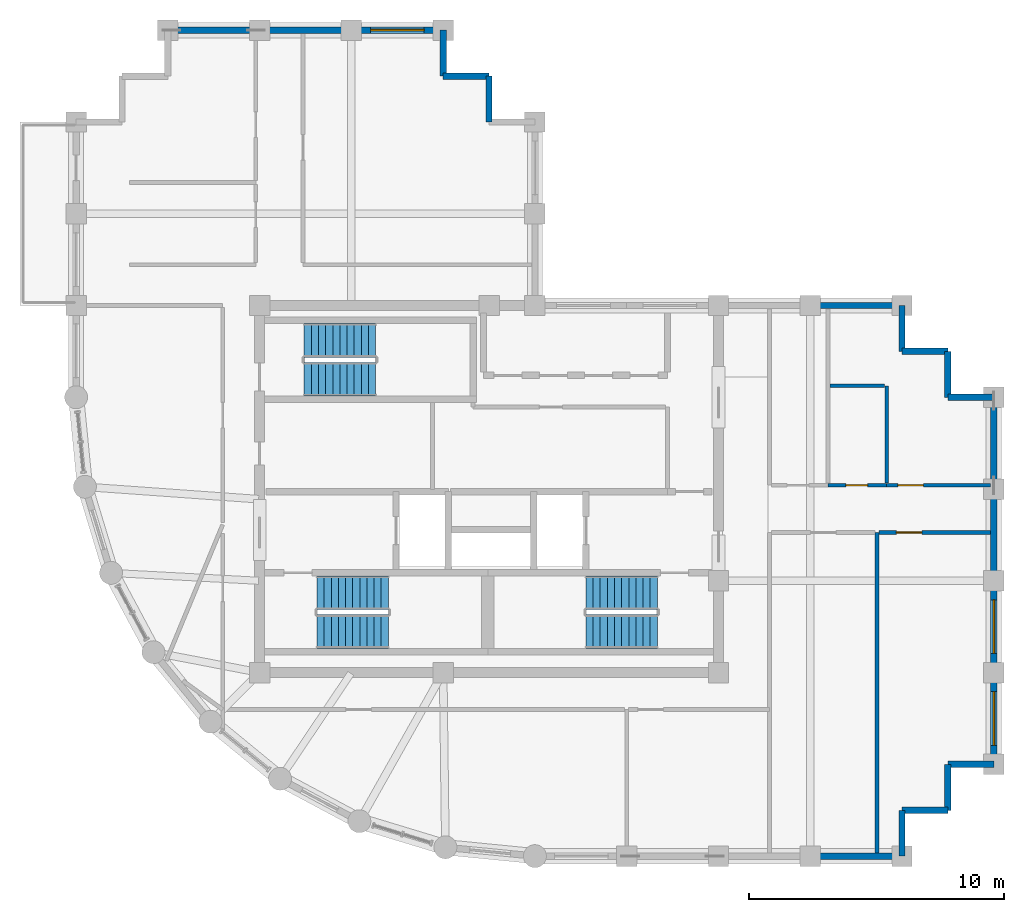
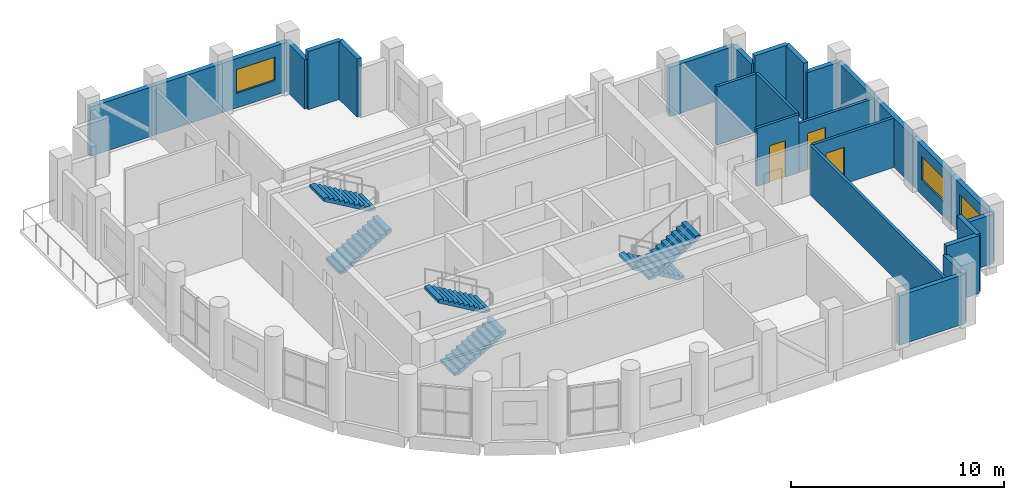
# One storey, part 10 of 11: 26 walls, 6 stair flights, 3 doors, 3 windows, 6 openings, 3 elements without a shape of their own.
"""IFC4 building model written with IfcOpenShell, lengths in metres."""

from ifc_helpers import new_model, si_unit, direction, frame, frame_2d, origin, place, context, subcontext, project, spatial, polyline, rectangle, outline, extrude, material, layer, layer_set, type_object, element, fill, aggregate, save


model = new_model("IFC4")

# Units and contexts
model_context = context("Model", 3, precision=1e-05, world=origin(), true_north=direction((0.0, 1.0)))
body_context = subcontext(model_context, "Body", "Model", "MODEL_VIEW")
ifc_project = project(units=[si_unit("LENGTHUNIT", "METRE"), si_unit("AREAUNIT", "SQUARE_METRE"), si_unit("VOLUMEUNIT", "CUBIC_METRE"), si_unit("PLANEANGLEUNIT", "RADIAN"), si_unit("MASSUNIT", "GRAM", prefix="KILO")], contexts=[model_context])

# Site, building, storey
site_placement = place(None, origin())
site = spatial("IfcSite", under=ifc_project, at=site_placement, CompositionType="ELEMENT")
building_placement = place(site_placement, origin())
building = spatial("IfcBuilding", under=site, at=building_placement, Name="Solnavia Interchange Tower", CompositionType="ELEMENT")
storey_placement = place(building_placement, frame((0.0, 0.0, 263.0)))
storey = spatial("IfcBuildingStorey", under=building, at=storey_placement, Name="L66", CompositionType="ELEMENT", Elevation=263.0)

# Walls
ifc_material_1 = material(Name="Concrete C40/50", Category="concrete")
ifc_layer_1 = layer(ifc_material_1, 0.25)
ifc_layer_set_1 = layer_set([ifc_layer_1], Name="Concrete C40/50")
wall_type_1 = type_object("IfcWallType", Name="Wall-ExtSpandrel-250", PredefinedType="STANDARD", material=ifc_layer_set_1)
wall_1_placement = place(storey_placement, frame((39.60009765625, 3.60009765625, 0.0), z_axis=(0.0, 0.0, 1.0), x_axis=(-1.0, 0.0, 0.0)))
element("IfcWall", 1, at=wall_1_placement, inside=storey, type_object=wall_type_1, Name="EXW-L66-04 Exterior precast spandrel wall", PredefinedType="STANDARD", context=body_context, shape_type="SweptSolid", body=[
    extrude(rectangle(XDim=3.60009765625, YDim=0.25, at=frame_2d((1.800048828125, 0.0))), origin(), (0.0, 0.0, 1.0), 2.830078125),
])
wall_2_placement = place(storey_placement, frame((39.60009765625, 5.39990234375, 0.0), z_axis=(0.0, 0.0, 1.0), x_axis=(0.0, -1.0, 0.0)))
element("IfcWall", 2, at=wall_2_placement, inside=storey, type_object=wall_type_1, Name="EXW-L66-05 Exterior precast spandrel wall", PredefinedType="STANDARD", context=body_context, shape_type="SweptSolid", body=[
    extrude(rectangle(XDim=1.7998046875, YDim=0.25, at=frame_2d((0.89990234375, 0.0))), origin(), (0.0, 0.0, 1.0), 2.830078125),
])
wall_3_placement = place(storey_placement, frame((41.39990234375, 5.39990234375, 0.0), z_axis=(0.0, 0.0, 1.0), x_axis=(-1.0, 0.0, 0.0)))
element("IfcWall", 3, at=wall_3_placement, inside=storey, type_object=wall_type_1, Name="EXW-L66-06 Exterior precast spandrel wall", PredefinedType="STANDARD", context=body_context, shape_type="SweptSolid", body=[
    extrude(rectangle(XDim=1.7998046875, YDim=0.25, at=frame_2d((0.89990234375, 0.0))), origin(), (0.0, 0.0, 1.0), 3.3349609375),
])
wall_4_placement = place(storey_placement, frame((41.39990234375, 7.199951171875, 0.0), z_axis=(0.0, 0.0, 1.0), x_axis=(0.0, -1.0, 0.0)))
element("IfcWall", 4, at=wall_4_placement, inside=storey, type_object=wall_type_1, Name="EXW-L66-07 Exterior precast spandrel wall", PredefinedType="STANDARD", context=body_context, shape_type="SweptSolid", body=[
    extrude(rectangle(XDim=1.800048828125, YDim=0.25, at=frame_2d((0.89990234375, 0.0))), origin(), (0.0, 0.0, 1.0), 3.3349609375),
])
wall_5_placement = place(storey_placement, frame((43.199951171875, 7.199951171875, 0.0), z_axis=(0.0, 0.0, 1.0), x_axis=(-1.0, 0.0, 0.0)))
element("IfcWall", 5, at=wall_5_placement, inside=storey, type_object=wall_type_1, Name="EXW-L66-08 Exterior precast spandrel wall", PredefinedType="STANDARD", context=body_context, shape_type="SweptSolid", body=[
    extrude(rectangle(XDim=1.800048828125, YDim=0.25, at=frame_2d((0.89990234375, 0.0))), origin(), (0.0, 0.0, 1.0), 2.830078125),
])

# Wall, opening, window
wall_6_placement = place(storey_placement, frame((43.199951171875, 10.800048828125, 0.0), z_axis=(0.0, 0.0, 1.0), x_axis=(0.0, -1.0, 0.0)))
wall_6 = element("IfcWall", 6, at=wall_6_placement, inside=storey, type_object=wall_type_1, Name="EXW-L66-09 Exterior precast spandrel wall", PredefinedType="STANDARD", context=body_context, shape_type="SweptSolid", body=[
    extrude(rectangle(XDim=3.60009765625, YDim=0.25, at=frame_2d((1.800048828125, 0.0))), origin(), (0.0, 0.0, 1.0), 2.830078125),
])
opening_1_placement = place(wall_6_placement, frame((0.75, 0.0, 0.85009765625)))
opening_1 = element("IfcOpeningElement", 7, at=opening_1_placement, cuts=wall_6, Name="Opening WIN-01", PredefinedType="OPENING", context=body_context, shape_type="SweptSolid", body=[
    extrude(rectangle(XDim=2.10009765625, YDim=1.35009765625, at=frame_2d((1.050048828125, 0.675048828125))), frame((0.0, 0.135009765625, 0.0), z_axis=(0.0, -1.0, 0.0), x_axis=(1.0, 0.0, 0.0)), (0.0, 0.0, 1.0), 0.27001953125),
])
ifc_material_2 = material(Name="Thermal-Break Aluminium & Low-E Glass", Category="aluminium")
window_type = type_object("IfcWindowType", Name="Window-Ribbon-2100x1350", PartitioningType="SINGLE_PANEL", PredefinedType="WINDOW", material=ifc_material_2)
window_1_placement = place(opening_1_placement, origin())
window_1 = element("IfcWindow", 8, at=window_1_placement, inside=storey, type_object=window_type, Name="WIN-L66-09 Facade ribbon window", OverallHeight=1.35009765625, OverallWidth=2.10009765625, PartitioningType="SINGLE_PANEL", PredefinedType="WINDOW", context=body_context, shape_type="SweptSolid", body=[
    extrude(rectangle(XDim=2.10009765625, YDim=1.35009765625, at=frame_2d((1.050048828125, 0.675048828125))), frame((0.0, 0.030029296875, 0.0), z_axis=(0.0, -1.0, 0.0), x_axis=(1.0, 0.0, 0.0)), (0.0, 0.0, 1.0), 0.06005859375),
])
fill(opening_1, window_1)

wall_7_placement = place(storey_placement, frame((43.199951171875, 14.39990234375, 0.0), z_axis=(0.0, 0.0, 1.0), x_axis=(0.0, -1.0, 0.0)))
wall_7 = element("IfcWall", 9, at=wall_7_placement, inside=storey, type_object=wall_type_1, Name="EXW-L66-10 Exterior precast spandrel wall", PredefinedType="STANDARD", context=body_context, shape_type="SweptSolid", body=[
    extrude(rectangle(XDim=3.599853515625, YDim=0.25, at=frame_2d((1.7998046875, 0.0))), origin(), (0.0, 0.0, 1.0), 2.830078125),
])
opening_2_placement = place(wall_7_placement, frame((0.75, 0.0, 0.85009765625)))
opening_2 = element("IfcOpeningElement", 10, at=opening_2_placement, cuts=wall_7, Name="Opening WIN-01", PredefinedType="OPENING", context=body_context, shape_type="SweptSolid", body=[
    extrude(rectangle(XDim=2.10009765625, YDim=1.35009765625, at=frame_2d((1.050048828125, 0.675048828125))), frame((0.0, 0.135009765625, 0.0), z_axis=(0.0, -1.0, 0.0), x_axis=(1.0, 0.0, 0.0)), (0.0, 0.0, 1.0), 0.27001953125),
])
window_2_placement = place(opening_2_placement, origin())
window_2 = element("IfcWindow", 11, at=window_2_placement, inside=storey, type_object=window_type, Name="WIN-L66-10 Facade ribbon window", OverallHeight=1.35009765625, OverallWidth=2.10009765625, PartitioningType="SINGLE_PANEL", PredefinedType="WINDOW", context=body_context, shape_type="SweptSolid", body=[
    extrude(rectangle(XDim=2.10009765625, YDim=1.35009765625, at=frame_2d((1.050048828125, 0.675048828125))), frame((0.0, 0.030029296875, 0.0), z_axis=(0.0, -1.0, 0.0), x_axis=(1.0, 0.0, 0.0)), (0.0, 0.0, 1.0), 0.06005859375),
])
fill(opening_2, window_2)

# Walls
for number, where, z_axis, x_axis, name in (
    (12, (43.199951171875, 18.0, 0.0), (0.0, 0.0, 1.0), (0.0, -1.0, 0.0), "EXW-L66-11 Exterior precast spandrel wall"),
    (13, (43.199951171875, 21.60009765625, 0.0), (0.0, 0.0, 1.0), (0.0, -1.0, 0.0), "EXW-L66-12 Exterior precast spandrel wall"),
):
    element("IfcWall", number, at=place(storey_placement, frame(where, z_axis=z_axis, x_axis=x_axis)), inside=storey, type_object=wall_type_1, Name=name, PredefinedType="STANDARD", context=body_context, shape_type="SweptSolid", body=[
        extrude(rectangle(XDim=3.60009765625, YDim=0.25, at=frame_2d((1.800048828125, 0.0))), origin(), (0.0, 0.0, 1.0), 2.830078125),
    ])
wall_8_placement = place(storey_placement, frame((41.39990234375, 21.60009765625, 0.0), z_axis=(0.0, 0.0, 1.0), x_axis=(1.0, 0.0, 0.0)))
element("IfcWall", 14, at=wall_8_placement, inside=storey, type_object=wall_type_1, Name="EXW-L66-13 Exterior precast spandrel wall", PredefinedType="STANDARD", context=body_context, shape_type="SweptSolid", body=[
    extrude(rectangle(XDim=1.800048828125, YDim=0.25, at=frame_2d((0.89990234375, 0.0))), origin(), (0.0, 0.0, 1.0), 2.830078125),
])
for number, where, z_axis, x_axis, name in (
    (15, (41.39990234375, 23.39990234375, 0.0), (0.0, 0.0, 1.0), (0.0, -1.0, 0.0), "EXW-L66-14 Exterior precast spandrel wall"),
    (16, (39.60009765625, 23.39990234375, 0.0), (0.0, 0.0, 1.0), (1.0, 0.0, 0.0), "EXW-L66-15 Exterior precast spandrel wall"),
):
    element("IfcWall", number, at=place(storey_placement, frame(where, z_axis=z_axis, x_axis=x_axis)), inside=storey, type_object=wall_type_1, Name=name, PredefinedType="STANDARD", context=body_context, shape_type="SweptSolid", body=[
        extrude(rectangle(XDim=1.7998046875, YDim=0.25, at=frame_2d((0.89990234375, 0.0))), origin(), (0.0, 0.0, 1.0), 3.3349609375),
    ])
wall_9_placement = place(storey_placement, frame((39.60009765625, 25.199951171875, 0.0), z_axis=(0.0, 0.0, 1.0), x_axis=(0.0, -1.0, 0.0)))
element("IfcWall", 17, at=wall_9_placement, inside=storey, type_object=wall_type_1, Name="EXW-L66-16 Exterior precast spandrel wall", PredefinedType="STANDARD", context=body_context, shape_type="SweptSolid", body=[
    extrude(rectangle(XDim=1.800048828125, YDim=0.25, at=frame_2d((0.89990234375, 0.0))), origin(), (0.0, 0.0, 1.0), 2.830078125),
])
wall_10_placement = place(storey_placement, frame((36.0, 25.199951171875, 0.0), z_axis=(0.0, 0.0, 1.0), x_axis=(1.0, 0.0, 0.0)))
element("IfcWall", 18, at=wall_10_placement, inside=storey, type_object=wall_type_1, Name="EXW-L66-17 Exterior precast spandrel wall", PredefinedType="STANDARD", context=body_context, shape_type="SweptSolid", body=[
    extrude(rectangle(XDim=3.60009765625, YDim=0.25, at=frame_2d((1.800048828125, 0.0))), origin(), (0.0, 0.0, 1.0), 2.830078125),
])
wall_11_placement = place(storey_placement, frame((23.39990234375, 32.39990234375, 0.0), z_axis=(0.0, 0.0, 1.0), x_axis=(0.0, 1.0, 0.0)))
element("IfcWall", 19, at=wall_11_placement, inside=storey, type_object=wall_type_1, Name="EXW-L66-24 Exterior precast spandrel wall", PredefinedType="STANDARD", context=body_context, shape_type="SweptSolid", body=[
    extrude(rectangle(XDim=1.800048828125, YDim=0.25, at=frame_2d((0.89990234375, 0.0))), origin(), (0.0, 0.0, 1.0), 3.3349609375),
])
wall_12_placement = place(storey_placement, frame((21.60009765625, 34.199951171875, 0.0), z_axis=(0.0, 0.0, 1.0), x_axis=(1.0, 0.0, 0.0)))
element("IfcWall", 20, at=wall_12_placement, inside=storey, type_object=wall_type_1, Name="EXW-L66-25 Exterior precast spandrel wall", PredefinedType="STANDARD", context=body_context, shape_type="SweptSolid", body=[
    extrude(rectangle(XDim=1.7998046875, YDim=0.25, at=frame_2d((0.89990234375, 0.0))), origin(), (0.0, 0.0, 1.0), 3.3349609375),
])
wall_13_placement = place(storey_placement, frame((21.60009765625, 34.199951171875, 0.0), z_axis=(0.0, 0.0, 1.0), x_axis=(0.0, 1.0, 0.0)))
element("IfcWall", 21, at=wall_13_placement, inside=storey, type_object=wall_type_1, Name="EXW-L66-26 Exterior precast spandrel wall", PredefinedType="STANDARD", context=body_context, shape_type="SweptSolid", body=[
    extrude(rectangle(XDim=1.800048828125, YDim=0.25, at=frame_2d((0.89990234375, 0.0))), origin(), (0.0, 0.0, 1.0), 2.830078125),
])

# Wall, opening, window
wall_14_placement = place(storey_placement, frame((18.0, 36.0, 0.0), z_axis=(0.0, 0.0, 1.0), x_axis=(1.0, 0.0, 0.0)))
wall_14 = element("IfcWall", 22, at=wall_14_placement, inside=storey, type_object=wall_type_1, Name="EXW-L66-27 Exterior precast spandrel wall", PredefinedType="STANDARD", context=body_context, shape_type="SweptSolid", body=[
    extrude(rectangle(XDim=3.60009765625, YDim=0.25, at=frame_2d((1.800048828125, 0.0))), origin(), (0.0, 0.0, 1.0), 2.830078125),
])
opening_3_placement = place(wall_14_placement, frame((0.75, 0.0, 0.85009765625)))
opening_3 = element("IfcOpeningElement", 23, at=opening_3_placement, cuts=wall_14, Name="Opening WIN-01", PredefinedType="OPENING", context=body_context, shape_type="SweptSolid", body=[
    extrude(rectangle(XDim=2.10009765625, YDim=1.35009765625, at=frame_2d((1.050048828125, 0.675048828125))), frame((0.0, 0.135009765625, 0.0), z_axis=(0.0, -1.0, 0.0), x_axis=(1.0, 0.0, 0.0)), (0.0, 0.0, 1.0), 0.27001953125),
])
window_3_placement = place(opening_3_placement, origin())
window_3 = element("IfcWindow", 24, at=window_3_placement, inside=storey, type_object=window_type, Name="WIN-L66-27 Facade ribbon window", OverallHeight=1.35009765625, OverallWidth=2.10009765625, PartitioningType="SINGLE_PANEL", PredefinedType="WINDOW", context=body_context, shape_type="SweptSolid", body=[
    extrude(rectangle(XDim=2.10009765625, YDim=1.35009765625, at=frame_2d((1.050048828125, 0.675048828125))), frame((0.0, 0.030029296875, 0.0), z_axis=(0.0, -1.0, 0.0), x_axis=(1.0, 0.0, 0.0)), (0.0, 0.0, 1.0), 0.06005859375),
])
fill(opening_3, window_3)

# Walls
wall_15_placement = place(storey_placement, frame((14.39990234375, 36.0, 0.0), z_axis=(0.0, 0.0, 1.0), x_axis=(1.0, 0.0, 0.0)))
element("IfcWall", 25, at=wall_15_placement, inside=storey, type_object=wall_type_1, Name="EXW-L66-28 Exterior precast spandrel wall", PredefinedType="STANDARD", context=body_context, shape_type="SweptSolid", body=[
    extrude(rectangle(XDim=3.60009765625, YDim=0.25, at=frame_2d((1.800048828125, 0.0))), origin(), (0.0, 0.0, 1.0), 2.830078125),
])
wall_16_placement = place(storey_placement, frame((10.800048828125, 36.0, 0.0), z_axis=(0.0, 0.0, 1.0), x_axis=(1.0, 0.0, 0.0)))
element("IfcWall", 26, at=wall_16_placement, inside=storey, type_object=wall_type_1, Name="EXW-L66-29 Exterior precast spandrel wall", PredefinedType="STANDARD", context=body_context, shape_type="SweptSolid", body=[
    extrude(rectangle(XDim=3.599853515625, YDim=0.25, at=frame_2d((1.7998046875, 0.0))), origin(), (0.0, 0.0, 1.0), 2.830078125),
])
ifc_material_3 = material(Name="Gypsum Plasterboard & Steel Stud", Category="steel")
ifc_layer_2 = layer(ifc_material_3, 0.14990234375)
ifc_layer_set_2 = layer_set([ifc_layer_2], Name="Gypsum Plasterboard & Steel Stud")
wall_type_2 = type_object("IfcWallType", Name="Wall-Partition-150", PredefinedType="PARTITIONING", material=ifc_layer_set_2)
wall_17_placement = place(storey_placement, frame((38.6201171875, 3.72900390625, 0.0), z_axis=(0.0, 0.0, 1.0), x_axis=(0.0, 1.0, 0.0)))
element("IfcWall", 27, at=wall_17_placement, inside=storey, type_object=wall_type_2, Name="PTW-L66-16 Interior partition wall", PredefinedType="PARTITIONING", context=body_context, shape_type="SweptSolid", body=[
    extrude(rectangle(XDim=12.571044921875, YDim=0.14990234375, at=frame_2d((6.28564453125, 0.0))), origin(), (0.0, 0.0, 1.0), 2.830078125),
])

# Wall, opening, door
wall_18_placement = place(storey_placement, frame((38.698974609375, 16.300048828125, 0.0), z_axis=(0.0, 0.0, 1.0), x_axis=(1.0, 0.0, 0.0)))
wall_18 = element("IfcWall", 28, at=wall_18_placement, inside=storey, type_object=wall_type_2, Name="PTW-L66-18 Interior partition wall", PredefinedType="PARTITIONING", context=body_context, shape_type="SweptSolid", body=[
    extrude(rectangle(XDim=4.3720703125, YDim=0.14990234375, at=frame_2d((2.18603515625, 0.0))), origin(), (0.0, 0.0, 1.0), 2.830078125),
])
opening_4_placement = place(wall_18_placement, frame((0.677978515625, 0.0, 0.0)))
opening_4 = element("IfcOpeningElement", 29, at=opening_4_placement, cuts=wall_18, Name="Opening DR-07", PredefinedType="OPENING", context=body_context, shape_type="SweptSolid", body=[
    extrude(rectangle(XDim=1.0, YDim=2.10009765625, at=frame_2d((0.5, 1.050048828125))), frame((0.0, 0.0849609375, 0.0), z_axis=(0.0, -1.0, 0.0), x_axis=(1.0, 0.0, 0.0)), (0.0, 0.0, 1.0), 0.169921875),
])
ifc_material_4 = material(Name="Timber & Acoustic Glazed Office Door", Category="wood")
door_type_1 = type_object("IfcDoorType", Name="Door-Office-1000x2100", OperationType="SINGLE_SWING_RIGHT", PredefinedType="DOOR", material=ifc_material_4)
door_1_placement = place(opening_4_placement, origin())
door_1 = element("IfcDoor", 30, at=door_1_placement, inside=storey, type_object=door_type_1, Name="DR-L66-08 Interior room door", OperationType="SINGLE_SWING_RIGHT", OverallHeight=2.10009765625, OverallWidth=1.0, PredefinedType="DOOR", context=body_context, shape_type="SweptSolid", body=[
    extrude(rectangle(XDim=1.0, YDim=2.10009765625, at=frame_2d((0.5, 1.050048828125))), frame((0.0, 0.02490234375, 0.0), z_axis=(0.0, -1.0, 0.0), x_axis=(1.0, 0.0, 0.0)), (0.0, 0.0, 1.0), 0.050048828125),
])
fill(opening_4, door_1)

wall_19_placement = place(storey_placement, frame((39.0, 18.14990234375, 0.0), z_axis=(0.0, 0.0, 1.0), x_axis=(1.0, 0.0, 0.0)))
wall_19 = element("IfcWall", 31, at=wall_19_placement, inside=storey, type_object=wall_type_2, Name="PTW-L66-19 Interior partition wall", PredefinedType="PARTITIONING", context=body_context, shape_type="SweptSolid", body=[
    extrude(rectangle(XDim=4.071044921875, YDim=0.14990234375, at=frame_2d((2.03564453125, 0.0))), origin(), (0.0, 0.0, 1.0), 2.830078125),
])
opening_5_placement = place(wall_19_placement, frame((0.43798828125, 0.0, 0.0)))
opening_5 = element("IfcOpeningElement", 32, at=opening_5_placement, cuts=wall_19, Name="Opening DR-07", PredefinedType="OPENING", context=body_context, shape_type="SweptSolid", body=[
    extrude(rectangle(XDim=1.0, YDim=2.10009765625, at=frame_2d((0.5, 1.050048828125))), frame((0.0, 0.0849609375, 0.0), z_axis=(0.0, -1.0, 0.0), x_axis=(1.0, 0.0, 0.0)), (0.0, 0.0, 1.0), 0.169921875),
])
door_2_placement = place(opening_5_placement, origin())
door_2 = element("IfcDoor", 33, at=door_2_placement, inside=storey, type_object=door_type_1, Name="DR-L66-09 Interior room door", OperationType="SINGLE_SWING_RIGHT", OverallHeight=2.10009765625, OverallWidth=1.0, PredefinedType="DOOR", context=body_context, shape_type="SweptSolid", body=[
    extrude(rectangle(XDim=1.0, YDim=2.10009765625, at=frame_2d((0.5, 1.050048828125))), frame((0.0, 0.02490234375, 0.0), z_axis=(0.0, -1.0, 0.0), x_axis=(1.0, 0.0, 0.0)), (0.0, 0.0, 1.0), 0.050048828125),
])
fill(opening_5, door_2)

ifc_material_5 = material(Name="Moisture-Resistant Gypsum & Steel Stud", Category="steel")
ifc_layer_3 = layer(ifc_material_5, 0.14990234375)
ifc_layer_set_3 = layer_set([ifc_layer_3], Name="Moisture-Resistant Gypsum & Steel Stud")
wall_type_3 = type_object("IfcWallType", Name="Wall-WetRoom-150", PredefinedType="PARTITIONING", material=ifc_layer_set_3)
wall_20_placement = place(storey_placement, frame((36.699951171875, 18.14990234375, 0.0), z_axis=(0.0, 0.0, 1.0), x_axis=(1.0, 0.0, 0.0)))
wall_20 = element("IfcWall", 34, at=wall_20_placement, inside=storey, type_object=wall_type_3, Name="PTW-L66-04 Interior partition wall", PredefinedType="PARTITIONING", context=body_context, shape_type="SweptSolid", body=[
    extrude(rectangle(XDim=2.300048828125, YDim=0.14990234375, at=frame_2d((1.14990234375, 0.0))), origin(), (0.0, 0.0, 1.0), 3.3349609375),
])
opening_6_placement = place(wall_20_placement, frame((0.697021484375, 0.0, 0.0)))
opening_6 = element("IfcOpeningElement", 35, at=opening_6_placement, cuts=wall_20, Name="Opening DR-10", PredefinedType="OPENING", context=body_context, shape_type="SweptSolid", body=[
    extrude(rectangle(XDim=0.85009765625, YDim=2.10009765625, at=frame_2d((0.425048828125, 1.050048828125))), frame((0.0, 0.0849609375, 0.0), z_axis=(0.0, -1.0, 0.0), x_axis=(1.0, 0.0, 0.0)), (0.0, 0.0, 1.0), 0.169921875),
])
ifc_material_6 = material(Name="Moisture-Resistant Timber Door", Category="wood")
door_type_2 = type_object("IfcDoorType", Name="Door-Bathroom-850x2100", OperationType="SINGLE_SWING_RIGHT", PredefinedType="DOOR", material=ifc_material_6)
door_3_placement = place(opening_6_placement, origin())
door_3 = element("IfcDoor", 36, at=door_3_placement, inside=storey, type_object=door_type_2, Name="DR-L66-02 Interior room door", OperationType="SINGLE_SWING_RIGHT", OverallHeight=2.10009765625, OverallWidth=0.85009765625, PredefinedType="DOOR", context=body_context, shape_type="SweptSolid", body=[
    extrude(rectangle(XDim=0.85009765625, YDim=2.10009765625, at=frame_2d((0.425048828125, 1.050048828125))), frame((0.0, 0.02490234375, 0.0), z_axis=(0.0, -1.0, 0.0), x_axis=(1.0, 0.0, 0.0)), (0.0, 0.0, 1.0), 0.050048828125),
])
fill(opening_6, door_3)

# Walls
wall_21_placement = place(storey_placement, frame((39.0, 18.22900390625, 0.0), z_axis=(0.0, 0.0, 1.0), x_axis=(0.0, 1.0, 0.0)))
element("IfcWall", 37, at=wall_21_placement, inside=storey, type_object=wall_type_3, Name="PTW-L66-05 Interior partition wall", PredefinedType="PARTITIONING", context=body_context, shape_type="SweptSolid", body=[
    extrude(rectangle(XDim=3.821044921875, YDim=0.14990234375, at=frame_2d((1.91064453125, 0.0))), origin(), (0.0, 0.0, 1.0), 3.3349609375),
])
wall_22_placement = place(storey_placement, frame((36.779052734375, 22.050048828125, 0.0), z_axis=(0.0, 0.0, 1.0), x_axis=(1.0, 0.0, 0.0)))
element("IfcWall", 38, at=wall_22_placement, inside=storey, type_object=wall_type_3, Name="PTW-L66-06 Interior partition wall", PredefinedType="PARTITIONING", context=body_context, shape_type="SweptSolid", body=[
    extrude(rectangle(XDim=2.141845703125, YDim=0.14990234375, at=frame_2d((1.07080078125, 0.0))), origin(), (0.0, 0.0, 1.0), 3.3349609375),
])

# Stair, stair flights
stair_type = type_object("IfcStairType", Name="Stair-Dogleg-RC", PredefinedType="HALF_TURN_STAIR", material=ifc_material_1)
stair_1_placement = place(storey_placement, origin())
stair_1 = element("IfcStair", 39, at=stair_1_placement, inside=storey, type_object=stair_type, Name="L66 Core exit stair 1", PredefinedType="HALF_TURN_STAIR")
stair_flight_type = type_object("IfcStairFlightType", Name="StairFlight-RC-150", PredefinedType="STRAIGHT", material=ifc_material_1)
stair_flight_1_placement = place(storey_placement, frame((16.64990234375, 12.409912109375, 0.0), z_axis=(0.0, 0.0, 1.0), x_axis=(1.0, 0.0, 0.0)))
stair_flight_1 = element("IfcStairFlight", 40, at=stair_flight_1_placement, type_object=stair_flight_type, Name="ST-1 flight 1", NumberOfRisers=11, NumberOfTreads=10, PredefinedType="STRAIGHT", RiserHeight=0.163636364, TreadLength=0.28, context=body_context, shape_type="SweptSolid", body=[
    extrude(outline(polyline([(0.0, 0.0), (0.0, 0.16357421875), (0.280029296875, 0.16357421875), (0.280029296875, 0.327392578125), (0.56005859375, 0.327392578125), (0.56005859375, 0.490966796875), (0.840087890625, 0.490966796875), (0.840087890625, 0.654541015625), (1.1201171875, 0.654541015625), (1.1201171875, 0.818115234375), (1.39990234375, 0.818115234375), (1.39990234375, 0.98193359375), (1.679931640625, 0.98193359375), (1.679931640625, 1.1455078125), (1.9599609375, 1.1455078125), (1.9599609375, 1.30908203125), (2.239990234375, 1.30908203125), (2.239990234375, 1.47265625), (2.52001953125, 1.47265625), (2.52001953125, 1.636474609375), (2.800048828125, 1.636474609375), (2.800048828125, 1.800048828125), (2.800048828125, 1.462646484375), (0.297119140625, 0.0), (0.0, 0.0)])), frame((0.0, 0.66015625, 0.0), z_axis=(0.0, -1.0, 0.0), x_axis=(1.0, 0.0, 0.0)), (0.0, 0.0, 1.0), 1.320068359375),
])
stair_flight_2_placement = place(storey_placement, frame((19.449951171875, 13.929931640625, 1.800048828125), z_axis=(0.0, 0.0, 1.0), x_axis=(-1.0, 0.0, 0.0)))
stair_flight_2 = element("IfcStairFlight", 41, at=stair_flight_2_placement, type_object=stair_flight_type, Name="ST-1 flight 2", NumberOfRisers=11, NumberOfTreads=10, PredefinedType="STRAIGHT", RiserHeight=0.163636364, TreadLength=0.28, context=body_context, shape_type="SweptSolid", body=[
    extrude(outline(polyline([(0.0, 0.0), (0.0, 0.16357421875), (0.280029296875, 0.16357421875), (0.280029296875, 0.327392578125), (0.56005859375, 0.327392578125), (0.56005859375, 0.490966796875), (0.840087890625, 0.490966796875), (0.840087890625, 0.654541015625), (1.1201171875, 0.654541015625), (1.1201171875, 0.818115234375), (1.39990234375, 0.818115234375), (1.39990234375, 0.98193359375), (1.679931640625, 0.98193359375), (1.679931640625, 1.1455078125), (1.9599609375, 1.1455078125), (1.9599609375, 1.30908203125), (2.239990234375, 1.30908203125), (2.239990234375, 1.47265625), (2.52001953125, 1.47265625), (2.52001953125, 1.636474609375), (2.800048828125, 1.636474609375), (2.800048828125, 1.800048828125), (2.800048828125, 1.462646484375), (0.297119140625, 0.0), (0.0, 0.0)])), frame((0.0, 0.66015625, 0.0), z_axis=(0.0, -1.0, 0.0), x_axis=(1.0, 0.0, 0.0)), (0.0, 0.0, 1.0), 1.320068359375),
])
aggregate(stair_1, [stair_flight_1, stair_flight_2])

stair_2_placement = place(storey_placement, origin())
stair_2 = element("IfcStair", 42, at=stair_2_placement, inside=storey, type_object=stair_type, Name="L66 Core exit stair 2", PredefinedType="HALF_TURN_STAIR")
stair_flight_3_placement = place(storey_placement, frame((30.0, 13.929931640625, 0.0), z_axis=(0.0, 0.0, 1.0), x_axis=(-1.0, 0.0, 0.0)))
stair_flight_3 = element("IfcStairFlight", 43, at=stair_flight_3_placement, type_object=stair_flight_type, Name="ST-2 flight 1", NumberOfRisers=11, NumberOfTreads=10, PredefinedType="STRAIGHT", RiserHeight=0.163636364, TreadLength=0.28, context=body_context, shape_type="SweptSolid", body=[
    extrude(outline(polyline([(0.0, 0.0), (0.0, 0.16357421875), (0.280029296875, 0.16357421875), (0.280029296875, 0.327392578125), (0.56005859375, 0.327392578125), (0.56005859375, 0.490966796875), (0.840087890625, 0.490966796875), (0.840087890625, 0.654541015625), (1.1201171875, 0.654541015625), (1.1201171875, 0.818115234375), (1.39990234375, 0.818115234375), (1.39990234375, 0.98193359375), (1.679931640625, 0.98193359375), (1.679931640625, 1.1455078125), (1.9599609375, 1.1455078125), (1.9599609375, 1.30908203125), (2.239990234375, 1.30908203125), (2.239990234375, 1.47265625), (2.52001953125, 1.47265625), (2.52001953125, 1.636474609375), (2.800048828125, 1.636474609375), (2.800048828125, 1.800048828125), (2.800048828125, 1.462646484375), (0.297119140625, 0.0), (0.0, 0.0)])), frame((0.0, 0.66015625, 0.0), z_axis=(0.0, -1.0, 0.0), x_axis=(1.0, 0.0, 0.0)), (0.0, 0.0, 1.0), 1.320068359375),
])
stair_flight_4_placement = place(storey_placement, frame((27.199951171875, 12.409912109375, 1.800048828125), z_axis=(0.0, 0.0, 1.0), x_axis=(1.0, 0.0, 0.0)))
stair_flight_4 = element("IfcStairFlight", 44, at=stair_flight_4_placement, type_object=stair_flight_type, Name="ST-2 flight 2", NumberOfRisers=11, NumberOfTreads=10, PredefinedType="STRAIGHT", RiserHeight=0.163636364, TreadLength=0.28, context=body_context, shape_type="SweptSolid", body=[
    extrude(outline(polyline([(0.0, 0.0), (0.0, 0.16357421875), (0.280029296875, 0.16357421875), (0.280029296875, 0.327392578125), (0.56005859375, 0.327392578125), (0.56005859375, 0.490966796875), (0.840087890625, 0.490966796875), (0.840087890625, 0.654541015625), (1.1201171875, 0.654541015625), (1.1201171875, 0.818115234375), (1.39990234375, 0.818115234375), (1.39990234375, 0.98193359375), (1.679931640625, 0.98193359375), (1.679931640625, 1.1455078125), (1.9599609375, 1.1455078125), (1.9599609375, 1.30908203125), (2.239990234375, 1.30908203125), (2.239990234375, 1.47265625), (2.52001953125, 1.47265625), (2.52001953125, 1.636474609375), (2.800048828125, 1.636474609375), (2.800048828125, 1.800048828125), (2.800048828125, 1.462646484375), (0.297119140625, 0.0), (0.0, 0.0)])), frame((0.0, 0.66015625, 0.0), z_axis=(0.0, -1.0, 0.0), x_axis=(1.0, 0.0, 0.0)), (0.0, 0.0, 1.0), 1.320068359375),
])
aggregate(stair_2, [stair_flight_3, stair_flight_4])

stair_3_placement = place(storey_placement, origin())
stair_3 = element("IfcStair", 45, at=stair_3_placement, inside=storey, type_object=stair_type, Name="L66 Core exit stair 3", PredefinedType="HALF_TURN_STAIR")
stair_flight_5_placement = place(storey_placement, frame((16.14990234375, 22.31005859375, 0.0), z_axis=(0.0, 0.0, 1.0), x_axis=(1.0, 0.0, 0.0)))
stair_flight_5 = element("IfcStairFlight", 46, at=stair_flight_5_placement, type_object=stair_flight_type, Name="ST-3 flight 1", NumberOfRisers=11, NumberOfTreads=10, PredefinedType="STRAIGHT", RiserHeight=0.163636364, TreadLength=0.28, context=body_context, shape_type="SweptSolid", body=[
    extrude(outline(polyline([(0.0, 0.0), (0.0, 0.16357421875), (0.280029296875, 0.16357421875), (0.280029296875, 0.327392578125), (0.56005859375, 0.327392578125), (0.56005859375, 0.490966796875), (0.840087890625, 0.490966796875), (0.840087890625, 0.654541015625), (1.1201171875, 0.654541015625), (1.1201171875, 0.818115234375), (1.39990234375, 0.818115234375), (1.39990234375, 0.98193359375), (1.679931640625, 0.98193359375), (1.679931640625, 1.1455078125), (1.9599609375, 1.1455078125), (1.9599609375, 1.30908203125), (2.239990234375, 1.30908203125), (2.239990234375, 1.47265625), (2.52001953125, 1.47265625), (2.52001953125, 1.636474609375), (2.800048828125, 1.636474609375), (2.800048828125, 1.800048828125), (2.800048828125, 1.462646484375), (0.297119140625, 0.0), (0.0, 0.0)])), frame((0.0, 0.66015625, 0.0), z_axis=(0.0, -1.0, 0.0), x_axis=(1.0, 0.0, 0.0)), (0.0, 0.0, 1.0), 1.320068359375),
])
stair_flight_6_placement = place(storey_placement, frame((18.949951171875, 23.830078125, 1.800048828125), z_axis=(0.0, 0.0, 1.0), x_axis=(-1.0, 0.0, 0.0)))
stair_flight_6 = element("IfcStairFlight", 47, at=stair_flight_6_placement, type_object=stair_flight_type, Name="ST-3 flight 2", NumberOfRisers=11, NumberOfTreads=10, PredefinedType="STRAIGHT", RiserHeight=0.163636364, TreadLength=0.28, context=body_context, shape_type="SweptSolid", body=[
    extrude(outline(polyline([(0.0, 0.0), (0.0, 0.16357421875), (0.280029296875, 0.16357421875), (0.280029296875, 0.327392578125), (0.56005859375, 0.327392578125), (0.56005859375, 0.490966796875), (0.840087890625, 0.490966796875), (0.840087890625, 0.654541015625), (1.1201171875, 0.654541015625), (1.1201171875, 0.818115234375), (1.39990234375, 0.818115234375), (1.39990234375, 0.98193359375), (1.679931640625, 0.98193359375), (1.679931640625, 1.1455078125), (1.9599609375, 1.1455078125), (1.9599609375, 1.30908203125), (2.239990234375, 1.30908203125), (2.239990234375, 1.47265625), (2.52001953125, 1.47265625), (2.52001953125, 1.636474609375), (2.800048828125, 1.636474609375), (2.800048828125, 1.800048828125), (2.800048828125, 1.462646484375), (0.297119140625, 0.0), (0.0, 0.0)])), frame((0.0, 0.66015625, 0.0), z_axis=(0.0, -1.0, 0.0), x_axis=(1.0, 0.0, 0.0)), (0.0, 0.0, 1.0), 1.320068359375),
])
aggregate(stair_3, [stair_flight_5, stair_flight_6])

save(model, "model.ifc")
